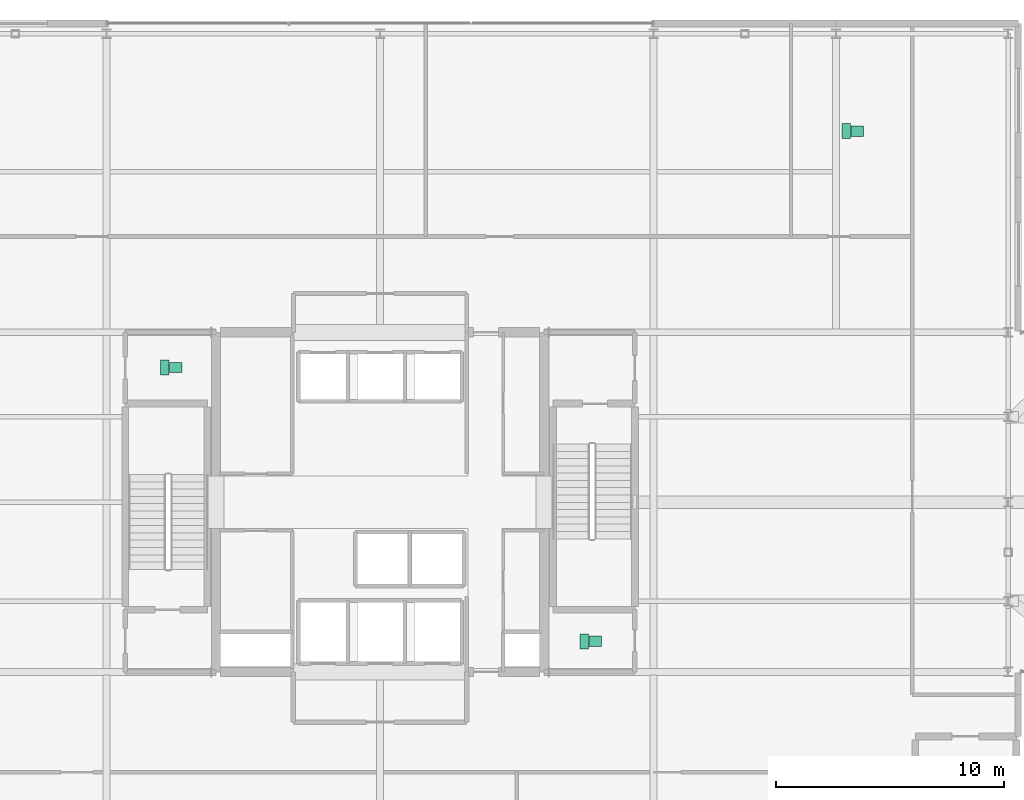
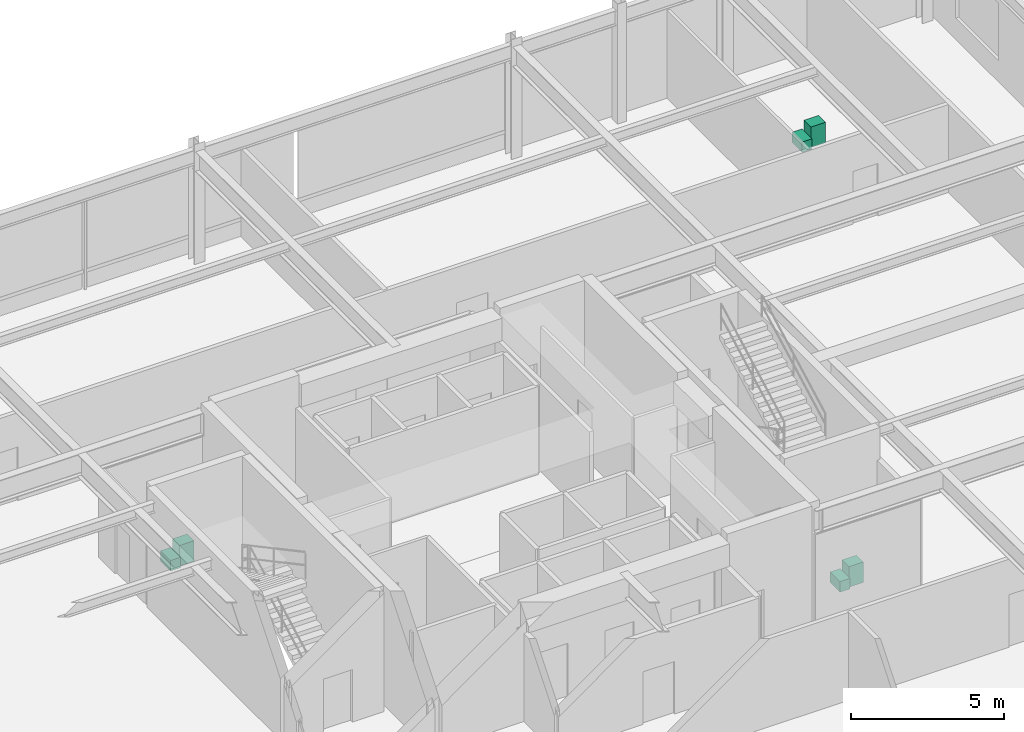
# One storey, part 26 of 26: 6 sanitary terminals.
"""IFC4 building model written with IfcOpenShell, lengths in metres."""

from ifc_helpers import new_model, si_unit, direction, frame, origin, origin_2d, place, context, subcontext, project, spatial, rectangle, extrude, material, type_object, element, save


model = new_model("IFC4")

# Units and contexts
model_context = context("Model", 3, precision=1e-05, world=origin(), true_north=direction((0.0, 1.0)))
body_context = subcontext(model_context, "Body", "Model", "MODEL_VIEW")
ifc_project = project(units=[si_unit("LENGTHUNIT", "METRE"), si_unit("AREAUNIT", "SQUARE_METRE"), si_unit("VOLUMEUNIT", "CUBIC_METRE"), si_unit("PLANEANGLEUNIT", "RADIAN"), si_unit("MASSUNIT", "GRAM", prefix="KILO")], contexts=[model_context])

# Site, building, storey
site_placement = place(None, origin())
site = spatial("IfcSite", under=ifc_project, at=site_placement, CompositionType="ELEMENT")
building_placement = place(site_placement, origin())
building = spatial("IfcBuilding", under=site, at=building_placement, Name="Veldorina Hangang Commons", CompositionType="ELEMENT")
storey_placement = place(building_placement, frame((0.0, 0.0, 5.199951171875)))
storey = spatial("IfcBuildingStorey", under=building, at=storey_placement, Name="L01", CompositionType="ELEMENT", Elevation=5.199951171875)

# Sanitary terminals
ifc_material = material(Name="Vitreous China Glazed White", Category="ceramic")
sanitary_terminal_type_1 = type_object("IfcSanitaryTerminalType", Name="SAN-BSN-1", PredefinedType="WASHHANDBASIN", material=ifc_material)
for number, where, z_axis, x_axis, name in (
    (1, (23.0400390625, 29.909912109375, 0.0), (0.0, 0.0, 1.0), (1.0, 0.0, 0.0), "L01 Accessible Restroom WC wash hand basin"),
    (2, (41.43994140625, 17.889892578125, 0.0), (0.0, 0.0, 1.0), (1.0, 0.0, 0.0), "L01 Common Restroom WC wash hand basin"),
    (3, (52.929931640625, 40.27490234375, 0.0), (0.0, 0.0, 1.0), (1.0, 0.0, 0.0), "L01 L01 Podium Public Restroom WC wash hand basin"),
):
    element("IfcSanitaryTerminal", number, at=place(storey_placement, frame(where, z_axis=z_axis, x_axis=x_axis)), inside=storey, type_object=sanitary_terminal_type_1, Name=name, PredefinedType="WASHHANDBASIN", context=body_context, shape_type="SweptSolid", body=[
        extrude(rectangle(XDim=0.550048828125, YDim=0.449951171875, at=origin_2d()), origin(), (0.0, 0.0, 1.0), 0.820068359375),
    ])
sanitary_terminal_type_2 = type_object("IfcSanitaryTerminalType", Name="SAN-WC-1", PredefinedType="TOILETPAN", material=ifc_material)
for number, where, z_axis, x_axis, name in (
    (4, (22.56005859375, 29.909912109375, 0.0), (0.0, 0.0, 1.0), (1.0, 0.0, 0.0), "L01 Accessible Restroom WC water closet"),
    (5, (40.9599609375, 17.889892578125, 0.0), (0.0, 0.0, 1.0), (1.0, 0.0, 0.0), "L01 Common Restroom WC water closet"),
    (6, (52.449951171875, 40.27490234375, 0.0), (0.0, 0.0, 1.0), (1.0, 0.0, 0.0), "L01 L01 Podium Public Restroom WC water closet"),
):
    element("IfcSanitaryTerminal", number, at=place(storey_placement, frame(where, z_axis=z_axis, x_axis=x_axis)), inside=storey, type_object=sanitary_terminal_type_2, Name=name, PredefinedType="TOILETPAN", context=body_context, shape_type="SweptSolid", body=[
        extrude(rectangle(XDim=0.3798828125, YDim=0.64990234375, at=origin_2d()), origin(), (0.0, 0.0, 1.0), 0.419921875),
    ])

save(model, "model.ifc")
